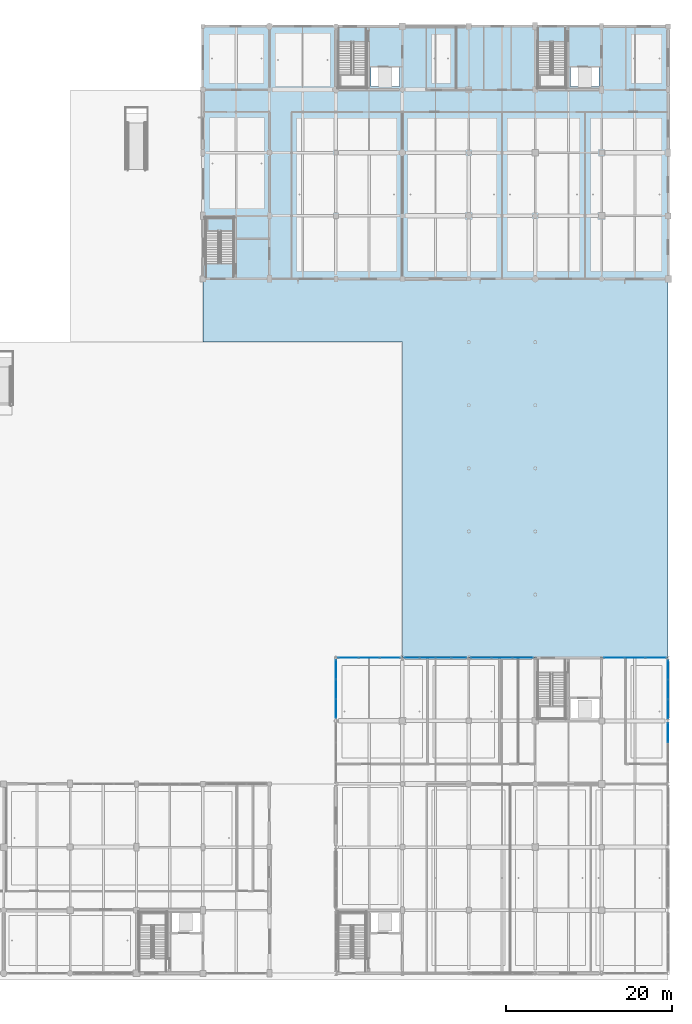
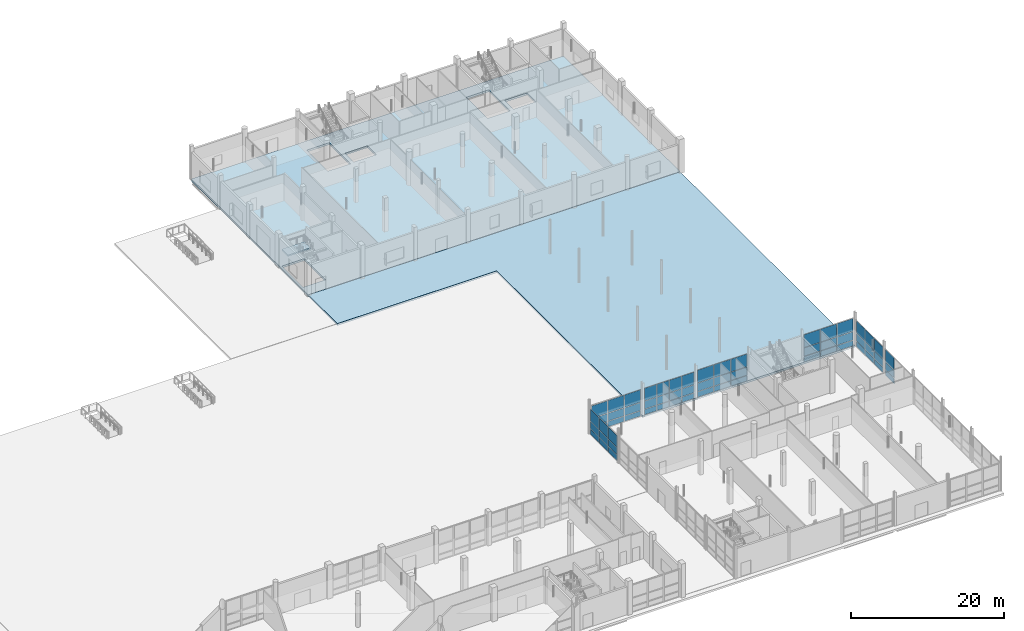
# One storey, part 53 of 126: 60 plates, 3 slabs, 8 elements without a shape of their own.
"""IFC4 building model written with IfcOpenShell, lengths in metres."""

from ifc_helpers import new_model, si_unit, direction, frame, origin, origin_2d, place, context, subcontext, project, spatial, polyline, rectangle, outline, extrude, material, layer, layer_set, type_object, element, aggregate, save


model = new_model("IFC4")

# Units and contexts
model_context = context("Model", 3, precision=1e-05, world=origin(), true_north=direction((0.0, 1.0)))
body_context = subcontext(model_context, "Body", "Model", "MODEL_VIEW")
ifc_project = project(units=[si_unit("LENGTHUNIT", "METRE"), si_unit("AREAUNIT", "SQUARE_METRE"), si_unit("VOLUMEUNIT", "CUBIC_METRE"), si_unit("PLANEANGLEUNIT", "RADIAN"), si_unit("MASSUNIT", "GRAM", prefix="KILO")], contexts=[model_context])

# Site, building, storey
site_placement = place(None, origin())
site = spatial("IfcSite", under=ifc_project, at=site_placement, CompositionType="ELEMENT")
building_placement = place(site_placement, origin())
building = spatial("IfcBuilding", under=site, at=building_placement, Name="Khelvaren Railside Concert Hall", CompositionType="ELEMENT")
storey_placement = place(building_placement, origin())
storey = spatial("IfcBuildingStorey", under=building, at=storey_placement, Name="L00", CompositionType="ELEMENT", Elevation=0.0)

# Curtain wall, plates
ifc_material_1 = material(Name="Double-glazed clear foyer glass", Category="glass")
curtain_wall_type_1 = type_object("IfcCurtainWallType", Name="CW64", PredefinedType="USERDEFINED", material=ifc_material_1)
curtain_wall_1_placement = place(storey_placement, origin())
curtain_wall_1 = element("IfcCurtainWall", 1, at=curtain_wall_1_placement, inside=storey, type_object=curtain_wall_type_1, Name="Unitised Curtain Wall CW-V2-L00-W-30", ObjectType="UNITISED CURTAIN WALL", PredefinedType="USERDEFINED")
ifc_layer_1 = layer(ifc_material_1, 0.0439453125)
ifc_layer_set_1 = layer_set([ifc_layer_1], Name="Double-glazed clear foyer glass")
plate_type_1 = type_object("IfcPlateType", Name="CWP33", PredefinedType="CURTAIN_PANEL", material=ifc_layer_set_1)
plate_1_placement = place(storey_placement, frame((144.0, 31.8759765625, 0.06494140625), z_axis=(0.0, 0.0, 1.0), x_axis=(0.0, 1.0, 0.0)))
plate_1 = element("IfcPlate", 2, at=plate_1_placement, type_object=plate_type_1, Name="CW64 panel 1.1", PredefinedType="CURTAIN_PANEL", context=body_context, shape_type="SweptSolid", body=[
    extrude(rectangle(XDim=2.250732421875, YDim=0.0439453125, at=origin_2d()), origin(), (0.0, 0.0, 1.0), 0.8525390625),
])
plate_2_placement = place(storey_placement, frame((144.0, 31.8759765625, 0.982666015625), z_axis=(0.0, 0.0, 1.0), x_axis=(0.0, 1.0, 0.0)))
plate_2 = element("IfcPlate", 3, at=plate_2_placement, type_object=plate_type_1, Name="CW64 panel 1.2", PredefinedType="CURTAIN_PANEL", context=body_context, shape_type="SweptSolid", body=[
    extrude(rectangle(XDim=2.250732421875, YDim=0.0439453125, at=origin_2d()), origin(), (0.0, 0.0, 1.0), 1.1376953125),
])
plate_3_placement = place(storey_placement, frame((144.0, 31.8759765625, 2.185302734375), z_axis=(0.0, 0.0, 1.0), x_axis=(0.0, 1.0, 0.0)))
plate_3 = element("IfcPlate", 4, at=plate_3_placement, type_object=plate_type_1, Name="CW64 panel 1.3", PredefinedType="CURTAIN_PANEL", context=body_context, shape_type="SweptSolid", body=[
    extrude(rectangle(XDim=2.250732421875, YDim=0.0439453125, at=origin_2d()), origin(), (0.0, 0.0, 1.0), 1.8896484375),
])
plate_4_placement = place(storey_placement, frame((144.0, 34.220703125, 0.06494140625), z_axis=(0.0, 0.0, 1.0), x_axis=(0.0, 1.0, 0.0)))
plate_4 = element("IfcPlate", 5, at=plate_4_placement, type_object=plate_type_1, Name="CW64 panel 2.1", PredefinedType="CURTAIN_PANEL", context=body_context, shape_type="SweptSolid", body=[
    extrude(rectangle(XDim=2.288330078125, YDim=0.0439453125, at=origin_2d()), origin(), (0.0, 0.0, 1.0), 0.8525390625),
])
plate_5_placement = place(storey_placement, frame((144.0, 34.220703125, 0.982666015625), z_axis=(0.0, 0.0, 1.0), x_axis=(0.0, 1.0, 0.0)))
plate_5 = element("IfcPlate", 6, at=plate_5_placement, type_object=plate_type_1, Name="CW64 panel 2.2", PredefinedType="CURTAIN_PANEL", context=body_context, shape_type="SweptSolid", body=[
    extrude(rectangle(XDim=2.288330078125, YDim=0.0439453125, at=origin_2d()), origin(), (0.0, 0.0, 1.0), 1.1376953125),
])
plate_6_placement = place(storey_placement, frame((144.0, 34.220703125, 2.185302734375), z_axis=(0.0, 0.0, 1.0), x_axis=(0.0, 1.0, 0.0)))
plate_6 = element("IfcPlate", 7, at=plate_6_placement, type_object=plate_type_1, Name="CW64 panel 2.3", PredefinedType="CURTAIN_PANEL", context=body_context, shape_type="SweptSolid", body=[
    extrude(rectangle(XDim=2.288330078125, YDim=0.0439453125, at=origin_2d()), origin(), (0.0, 0.0, 1.0), 1.8896484375),
])
plate_7_placement = place(storey_placement, frame((144.0, 36.565185546875, 0.06494140625), z_axis=(0.0, 0.0, 1.0), x_axis=(0.0, 1.0, 0.0)))
plate_7 = element("IfcPlate", 8, at=plate_7_placement, type_object=plate_type_1, Name="CW64 panel 3.1", PredefinedType="CURTAIN_PANEL", context=body_context, shape_type="SweptSolid", body=[
    extrude(rectangle(XDim=2.250732421875, YDim=0.0439453125, at=origin_2d()), origin(), (0.0, 0.0, 1.0), 0.8525390625),
])
plate_8_placement = place(storey_placement, frame((144.0, 36.565185546875, 0.982666015625), z_axis=(0.0, 0.0, 1.0), x_axis=(0.0, 1.0, 0.0)))
plate_8 = element("IfcPlate", 9, at=plate_8_placement, type_object=plate_type_1, Name="CW64 panel 3.2", PredefinedType="CURTAIN_PANEL", context=body_context, shape_type="SweptSolid", body=[
    extrude(rectangle(XDim=2.250732421875, YDim=0.0439453125, at=origin_2d()), origin(), (0.0, 0.0, 1.0), 1.1376953125),
])
plate_9_placement = place(storey_placement, frame((144.0, 36.565185546875, 2.185302734375), z_axis=(0.0, 0.0, 1.0), x_axis=(0.0, 1.0, 0.0)))
plate_9 = element("IfcPlate", 10, at=plate_9_placement, type_object=plate_type_1, Name="CW64 panel 3.3", PredefinedType="CURTAIN_PANEL", context=body_context, shape_type="SweptSolid", body=[
    extrude(rectangle(XDim=2.250732421875, YDim=0.0439453125, at=origin_2d()), origin(), (0.0, 0.0, 1.0), 1.8896484375),
])
aggregate(curtain_wall_1, [plate_1, plate_2, plate_3, plate_4, plate_5, plate_6, plate_7, plate_8, plate_9])

curtain_wall_type_2 = type_object("IfcCurtainWallType", Name="CW68", PredefinedType="USERDEFINED", material=ifc_material_1)
curtain_wall_2_placement = place(storey_placement, origin())
curtain_wall_2 = element("IfcCurtainWall", 11, at=curtain_wall_2_placement, inside=storey, type_object=curtain_wall_type_2, Name="Unitised Curtain Wall CW-V2-L00-E-30", ObjectType="UNITISED CURTAIN WALL", PredefinedType="USERDEFINED")
plate_10_placement = place(storey_placement, frame((184.0, 36.53369140625, 0.06494140625), z_axis=(0.0, 0.0, 1.0), x_axis=(0.0, -1.0, 0.0)))
plate_10 = element("IfcPlate", 12, at=plate_10_placement, type_object=plate_type_1, Name="CW68 panel 1.1", PredefinedType="CURTAIN_PANEL", context=body_context, shape_type="SweptSolid", body=[
    extrude(rectangle(XDim=2.24755859375, YDim=0.0439453125, at=origin_2d()), origin(), (0.0, 0.0, 1.0), 0.8525390625),
])
plate_11_placement = place(storey_placement, frame((184.0, 36.53369140625, 0.982421875), z_axis=(0.0, 0.0, 1.0), x_axis=(0.0, -1.0, 0.0)))
plate_11 = element("IfcPlate", 13, at=plate_11_placement, type_object=plate_type_1, Name="CW68 panel 1.2", PredefinedType="CURTAIN_PANEL", context=body_context, shape_type="SweptSolid", body=[
    extrude(rectangle(XDim=2.24755859375, YDim=0.0439453125, at=origin_2d()), origin(), (0.0, 0.0, 1.0), 1.189697265625),
])
plate_12_placement = place(storey_placement, frame((184.0, 36.53369140625, 2.2373046875), z_axis=(0.0, 0.0, 1.0), x_axis=(0.0, -1.0, 0.0)))
plate_12 = element("IfcPlate", 14, at=plate_12_placement, type_object=plate_type_1, Name="CW68 panel 1.3", PredefinedType="CURTAIN_PANEL", context=body_context, shape_type="SweptSolid", body=[
    extrude(rectangle(XDim=2.24755859375, YDim=0.0439453125, at=origin_2d()), origin(), (0.0, 0.0, 1.0), 1.937744140625),
])
plate_13_placement = place(storey_placement, frame((184.0, 34.1923828125, 0.06494140625), z_axis=(0.0, 0.0, 1.0), x_axis=(0.0, -1.0, 0.0)))
plate_13 = element("IfcPlate", 15, at=plate_13_placement, type_object=plate_type_1, Name="CW68 panel 2.1", PredefinedType="CURTAIN_PANEL", context=body_context, shape_type="SweptSolid", body=[
    extrude(rectangle(XDim=2.284912109375, YDim=0.0439453125, at=origin_2d()), origin(), (0.0, 0.0, 1.0), 0.8525390625),
])
plate_14_placement = place(storey_placement, frame((184.0, 34.1923828125, 0.982421875), z_axis=(0.0, 0.0, 1.0), x_axis=(0.0, -1.0, 0.0)))
plate_14 = element("IfcPlate", 16, at=plate_14_placement, type_object=plate_type_1, Name="CW68 panel 2.2", PredefinedType="CURTAIN_PANEL", context=body_context, shape_type="SweptSolid", body=[
    extrude(rectangle(XDim=2.284912109375, YDim=0.0439453125, at=origin_2d()), origin(), (0.0, 0.0, 1.0), 1.189697265625),
])
plate_15_placement = place(storey_placement, frame((184.0, 34.1923828125, 2.2373046875), z_axis=(0.0, 0.0, 1.0), x_axis=(0.0, -1.0, 0.0)))
plate_15 = element("IfcPlate", 17, at=plate_15_placement, type_object=plate_type_1, Name="CW68 panel 2.3", PredefinedType="CURTAIN_PANEL", context=body_context, shape_type="SweptSolid", body=[
    extrude(rectangle(XDim=2.284912109375, YDim=0.0439453125, at=origin_2d()), origin(), (0.0, 0.0, 1.0), 1.937744140625),
])
plate_16_placement = place(storey_placement, frame((184.0, 31.851318359375, 0.06494140625), z_axis=(0.0, 0.0, 1.0), x_axis=(0.0, -1.0, 0.0)))
plate_16 = element("IfcPlate", 18, at=plate_16_placement, type_object=plate_type_1, Name="CW68 panel 3.1", PredefinedType="CURTAIN_PANEL", context=body_context, shape_type="SweptSolid", body=[
    extrude(rectangle(XDim=2.24755859375, YDim=0.0439453125, at=origin_2d()), origin(), (0.0, 0.0, 1.0), 0.8525390625),
])
plate_17_placement = place(storey_placement, frame((184.0, 31.851318359375, 0.982421875), z_axis=(0.0, 0.0, 1.0), x_axis=(0.0, -1.0, 0.0)))
plate_17 = element("IfcPlate", 19, at=plate_17_placement, type_object=plate_type_1, Name="CW68 panel 3.2", PredefinedType="CURTAIN_PANEL", context=body_context, shape_type="SweptSolid", body=[
    extrude(rectangle(XDim=2.24755859375, YDim=0.0439453125, at=origin_2d()), origin(), (0.0, 0.0, 1.0), 1.189697265625),
])
plate_18_placement = place(storey_placement, frame((184.0, 31.851318359375, 2.2373046875), z_axis=(0.0, 0.0, 1.0), x_axis=(0.0, -1.0, 0.0)))
plate_18 = element("IfcPlate", 20, at=plate_18_placement, type_object=plate_type_1, Name="CW68 panel 3.3", PredefinedType="CURTAIN_PANEL", context=body_context, shape_type="SweptSolid", body=[
    extrude(rectangle(XDim=2.24755859375, YDim=0.0439453125, at=origin_2d()), origin(), (0.0, 0.0, 1.0), 1.937744140625),
])
aggregate(curtain_wall_2, [plate_10, plate_11, plate_12, plate_13, plate_14, plate_15, plate_16, plate_17, plate_18])

ifc_material_2 = material(Name="Triple-glazed solar-control glass", Category="glass")
curtain_wall_type_3 = type_object("IfcCurtainWallType", Name="CW80", PredefinedType="USERDEFINED", material=ifc_material_2)
curtain_wall_3_placement = place(storey_placement, origin())
curtain_wall_3 = element("IfcCurtainWall", 21, at=curtain_wall_3_placement, inside=storey, type_object=curtain_wall_type_3, Name="Unitised Curtain Wall CW-V2-L00-N-144", ObjectType="UNITISED CURTAIN WALL", PredefinedType="USERDEFINED")
ifc_layer_2 = layer(ifc_material_2, 0.035888671875)
ifc_layer_set_2 = layer_set([ifc_layer_2], Name="Triple-glazed solar-control glass")
plate_type_2 = type_object("IfcPlateType", Name="CWP53", PredefinedType="CURTAIN_PANEL", material=ifc_layer_set_2)
plate_19_placement = place(storey_placement, frame((145.510498046875, 38.0, 0.074951171875), z_axis=(0.0, 0.0, 1.0), x_axis=(1.0, 0.0, 0.0)))
plate_19 = element("IfcPlate", 22, at=plate_19_placement, type_object=plate_type_2, Name="CW80 panel 1.1", PredefinedType="CURTAIN_PANEL", context=body_context, shape_type="SweptSolid", body=[
    extrude(rectangle(XDim=2.40185546875, YDim=0.035888671875, at=origin_2d()), origin(), (0.0, 0.0, 1.0), 0.83740234375),
])
plate_20_placement = place(storey_placement, frame((145.510498046875, 38.0, 0.98779296875), z_axis=(0.0, 0.0, 1.0), x_axis=(1.0, 0.0, 0.0)))
plate_20 = element("IfcPlate", 23, at=plate_20_placement, type_object=plate_type_2, Name="CW80 panel 1.2", PredefinedType="CURTAIN_PANEL", context=body_context, shape_type="SweptSolid", body=[
    extrude(rectangle(XDim=2.40185546875, YDim=0.035888671875, at=origin_2d()), origin(), (0.0, 0.0, 1.0), 1.231689453125),
])
plate_21_placement = place(storey_placement, frame((145.510498046875, 38.0, 2.294189453125), z_axis=(0.0, 0.0, 1.0), x_axis=(1.0, 0.0, 0.0)))
plate_21 = element("IfcPlate", 24, at=plate_21_placement, type_object=plate_type_2, Name="CW80 panel 1.3", PredefinedType="CURTAIN_PANEL", context=body_context, shape_type="SweptSolid", body=[
    extrude(rectangle(XDim=2.40185546875, YDim=0.035888671875, at=origin_2d()), origin(), (0.0, 0.0, 1.0), 1.970703125),
])
plate_22_placement = place(storey_placement, frame((148.006103515625, 38.0, 0.074951171875), z_axis=(0.0, 0.0, 1.0), x_axis=(1.0, 0.0, 0.0)))
plate_22 = element("IfcPlate", 25, at=plate_22_placement, type_object=plate_type_2, Name="CW80 panel 2.1", PredefinedType="CURTAIN_PANEL", context=body_context, shape_type="SweptSolid", body=[
    extrude(rectangle(XDim=2.439453125, YDim=0.035888671875, at=origin_2d()), origin(), (0.0, 0.0, 1.0), 0.83740234375),
])
plate_23_placement = place(storey_placement, frame((148.006103515625, 38.0, 0.98779296875), z_axis=(0.0, 0.0, 1.0), x_axis=(1.0, 0.0, 0.0)))
plate_23 = element("IfcPlate", 26, at=plate_23_placement, type_object=plate_type_2, Name="CW80 panel 2.2", PredefinedType="CURTAIN_PANEL", context=body_context, shape_type="SweptSolid", body=[
    extrude(rectangle(XDim=2.439453125, YDim=0.035888671875, at=origin_2d()), origin(), (0.0, 0.0, 1.0), 1.231689453125),
])
plate_24_placement = place(storey_placement, frame((148.006103515625, 38.0, 2.294189453125), z_axis=(0.0, 0.0, 1.0), x_axis=(1.0, 0.0, 0.0)))
plate_24 = element("IfcPlate", 27, at=plate_24_placement, type_object=plate_type_2, Name="CW80 panel 2.3", PredefinedType="CURTAIN_PANEL", context=body_context, shape_type="SweptSolid", body=[
    extrude(rectangle(XDim=2.439453125, YDim=0.035888671875, at=origin_2d()), origin(), (0.0, 0.0, 1.0), 1.970703125),
])
plate_25_placement = place(storey_placement, frame((150.50146484375, 38.0, 0.074951171875), z_axis=(0.0, 0.0, 1.0), x_axis=(1.0, 0.0, 0.0)))
plate_25 = element("IfcPlate", 28, at=plate_25_placement, type_object=plate_type_2, Name="CW80 panel 3.1", PredefinedType="CURTAIN_PANEL", context=body_context, shape_type="SweptSolid", body=[
    extrude(rectangle(XDim=2.40185546875, YDim=0.035888671875, at=origin_2d()), origin(), (0.0, 0.0, 1.0), 0.83740234375),
])
plate_26_placement = place(storey_placement, frame((150.50146484375, 38.0, 0.98779296875), z_axis=(0.0, 0.0, 1.0), x_axis=(1.0, 0.0, 0.0)))
plate_26 = element("IfcPlate", 29, at=plate_26_placement, type_object=plate_type_2, Name="CW80 panel 3.2", PredefinedType="CURTAIN_PANEL", context=body_context, shape_type="SweptSolid", body=[
    extrude(rectangle(XDim=2.40185546875, YDim=0.035888671875, at=origin_2d()), origin(), (0.0, 0.0, 1.0), 1.231689453125),
])
plate_27_placement = place(storey_placement, frame((150.50146484375, 38.0, 2.294189453125), z_axis=(0.0, 0.0, 1.0), x_axis=(1.0, 0.0, 0.0)))
plate_27 = element("IfcPlate", 30, at=plate_27_placement, type_object=plate_type_2, Name="CW80 panel 3.3", PredefinedType="CURTAIN_PANEL", context=body_context, shape_type="SweptSolid", body=[
    extrude(rectangle(XDim=2.40185546875, YDim=0.035888671875, at=origin_2d()), origin(), (0.0, 0.0, 1.0), 1.970703125),
])
aggregate(curtain_wall_3, [plate_19, plate_20, plate_21, plate_22, plate_23, plate_24, plate_25, plate_26, plate_27])

curtain_wall_type_4 = type_object("IfcCurtainWallType", Name="CW41", PredefinedType="USERDEFINED", material=ifc_material_2)
curtain_wall_4_placement = place(storey_placement, origin())
curtain_wall_4 = element("IfcCurtainWall", 31, at=curtain_wall_4_placement, inside=storey, type_object=curtain_wall_type_4, Name="Unitised Curtain Wall CW-V2-L00-N-152", ObjectType="UNITISED CURTAIN WALL", PredefinedType="USERDEFINED")
plate_28_placement = place(storey_placement, frame((153.185546875, 38.0, 0.074951171875), z_axis=(0.0, 0.0, 1.0), x_axis=(1.0, 0.0, 0.0)))
plate_28 = element("IfcPlate", 32, at=plate_28_placement, type_object=plate_type_2, Name="CW41 panel 1.1", PredefinedType="CURTAIN_PANEL", context=body_context, shape_type="SweptSolid", body=[
    extrude(rectangle(XDim=1.7763671875, YDim=0.035888671875, at=origin_2d()), origin(), (0.0, 0.0, 1.0), 0.83740234375),
])
plate_29_placement = place(storey_placement, frame((153.185546875, 38.0, 0.98779296875), z_axis=(0.0, 0.0, 1.0), x_axis=(1.0, 0.0, 0.0)))
plate_29 = element("IfcPlate", 33, at=plate_29_placement, type_object=plate_type_2, Name="CW41 panel 1.2", PredefinedType="CURTAIN_PANEL", context=body_context, shape_type="SweptSolid", body=[
    extrude(rectangle(XDim=1.7763671875, YDim=0.035888671875, at=origin_2d()), origin(), (0.0, 0.0, 1.0), 1.231689453125),
])
plate_30_placement = place(storey_placement, frame((153.185546875, 38.0, 2.294189453125), z_axis=(0.0, 0.0, 1.0), x_axis=(1.0, 0.0, 0.0)))
plate_30 = element("IfcPlate", 34, at=plate_30_placement, type_object=plate_type_2, Name="CW41 panel 1.3", PredefinedType="CURTAIN_PANEL", context=body_context, shape_type="SweptSolid", body=[
    extrude(rectangle(XDim=1.7763671875, YDim=0.035888671875, at=origin_2d()), origin(), (0.0, 0.0, 1.0), 1.970703125),
])
plate_31_placement = place(storey_placement, frame((155.0556640625, 38.0, 0.074951171875), z_axis=(0.0, 0.0, 1.0), x_axis=(1.0, 0.0, 0.0)))
plate_31 = element("IfcPlate", 35, at=plate_31_placement, type_object=plate_type_2, Name="CW41 panel 2.1", PredefinedType="CURTAIN_PANEL", context=body_context, shape_type="SweptSolid", body=[
    extrude(rectangle(XDim=1.813720703125, YDim=0.035888671875, at=origin_2d()), origin(), (0.0, 0.0, 1.0), 0.83740234375),
])
plate_32_placement = place(storey_placement, frame((155.0556640625, 38.0, 0.98779296875), z_axis=(0.0, 0.0, 1.0), x_axis=(1.0, 0.0, 0.0)))
plate_32 = element("IfcPlate", 36, at=plate_32_placement, type_object=plate_type_2, Name="CW41 panel 2.2", PredefinedType="CURTAIN_PANEL", context=body_context, shape_type="SweptSolid", body=[
    extrude(rectangle(XDim=1.813720703125, YDim=0.035888671875, at=origin_2d()), origin(), (0.0, 0.0, 1.0), 1.231689453125),
])
plate_33_placement = place(storey_placement, frame((155.0556640625, 38.0, 2.294189453125), z_axis=(0.0, 0.0, 1.0), x_axis=(1.0, 0.0, 0.0)))
plate_33 = element("IfcPlate", 37, at=plate_33_placement, type_object=plate_type_2, Name="CW41 panel 2.3", PredefinedType="CURTAIN_PANEL", context=body_context, shape_type="SweptSolid", body=[
    extrude(rectangle(XDim=1.813720703125, YDim=0.035888671875, at=origin_2d()), origin(), (0.0, 0.0, 1.0), 1.970703125),
])
plate_34_placement = place(storey_placement, frame((156.9443359375, 38.0, 0.074951171875), z_axis=(0.0, 0.0, 1.0), x_axis=(1.0, 0.0, 0.0)))
plate_34 = element("IfcPlate", 38, at=plate_34_placement, type_object=plate_type_2, Name="CW41 panel 3.1", PredefinedType="CURTAIN_PANEL", context=body_context, shape_type="SweptSolid", body=[
    extrude(rectangle(XDim=1.813720703125, YDim=0.035888671875, at=origin_2d()), origin(), (0.0, 0.0, 1.0), 0.83740234375),
])
plate_35_placement = place(storey_placement, frame((156.9443359375, 38.0, 0.98779296875), z_axis=(0.0, 0.0, 1.0), x_axis=(1.0, 0.0, 0.0)))
plate_35 = element("IfcPlate", 39, at=plate_35_placement, type_object=plate_type_2, Name="CW41 panel 3.2", PredefinedType="CURTAIN_PANEL", context=body_context, shape_type="SweptSolid", body=[
    extrude(rectangle(XDim=1.813720703125, YDim=0.035888671875, at=origin_2d()), origin(), (0.0, 0.0, 1.0), 1.231689453125),
])
plate_36_placement = place(storey_placement, frame((156.9443359375, 38.0, 2.294189453125), z_axis=(0.0, 0.0, 1.0), x_axis=(1.0, 0.0, 0.0)))
plate_36 = element("IfcPlate", 40, at=plate_36_placement, type_object=plate_type_2, Name="CW41 panel 3.3", PredefinedType="CURTAIN_PANEL", context=body_context, shape_type="SweptSolid", body=[
    extrude(rectangle(XDim=1.813720703125, YDim=0.035888671875, at=origin_2d()), origin(), (0.0, 0.0, 1.0), 1.970703125),
])
plate_37_placement = place(storey_placement, frame((158.814453125, 38.0, 0.074951171875), z_axis=(0.0, 0.0, 1.0), x_axis=(1.0, 0.0, 0.0)))
plate_37 = element("IfcPlate", 41, at=plate_37_placement, type_object=plate_type_2, Name="CW41 panel 4.1", PredefinedType="CURTAIN_PANEL", context=body_context, shape_type="SweptSolid", body=[
    extrude(rectangle(XDim=1.7763671875, YDim=0.035888671875, at=origin_2d()), origin(), (0.0, 0.0, 1.0), 0.83740234375),
])
plate_38_placement = place(storey_placement, frame((158.814453125, 38.0, 0.98779296875), z_axis=(0.0, 0.0, 1.0), x_axis=(1.0, 0.0, 0.0)))
plate_38 = element("IfcPlate", 42, at=plate_38_placement, type_object=plate_type_2, Name="CW41 panel 4.2", PredefinedType="CURTAIN_PANEL", context=body_context, shape_type="SweptSolid", body=[
    extrude(rectangle(XDim=1.7763671875, YDim=0.035888671875, at=origin_2d()), origin(), (0.0, 0.0, 1.0), 1.231689453125),
])
plate_39_placement = place(storey_placement, frame((158.814453125, 38.0, 2.294189453125), z_axis=(0.0, 0.0, 1.0), x_axis=(1.0, 0.0, 0.0)))
plate_39 = element("IfcPlate", 43, at=plate_39_placement, type_object=plate_type_2, Name="CW41 panel 4.3", PredefinedType="CURTAIN_PANEL", context=body_context, shape_type="SweptSolid", body=[
    extrude(rectangle(XDim=1.7763671875, YDim=0.035888671875, at=origin_2d()), origin(), (0.0, 0.0, 1.0), 1.970703125),
])
aggregate(curtain_wall_4, [plate_28, plate_29, plate_30, plate_31, plate_32, plate_33, plate_34, plate_35, plate_36, plate_37, plate_38, plate_39])

curtain_wall_type_5 = type_object("IfcCurtainWallType", Name="CW88", PredefinedType="USERDEFINED", material=ifc_material_2)
curtain_wall_5_placement = place(storey_placement, origin())
curtain_wall_5 = element("IfcCurtainWall", 44, at=curtain_wall_5_placement, inside=storey, type_object=curtain_wall_type_5, Name="Unitised Curtain Wall CW-V2-L00-N-160", ObjectType="UNITISED CURTAIN WALL", PredefinedType="USERDEFINED")
plate_40_placement = place(storey_placement, frame((161.50048828125, 38.0, 0.074951171875), z_axis=(0.0, 0.0, 1.0), x_axis=(1.0, 0.0, 0.0)))
plate_40 = element("IfcPlate", 45, at=plate_40_placement, type_object=plate_type_2, Name="CW88 panel 1.1", PredefinedType="CURTAIN_PANEL", context=body_context, shape_type="SweptSolid", body=[
    extrude(rectangle(XDim=2.40576171875, YDim=0.035888671875, at=origin_2d()), origin(), (0.0, 0.0, 1.0), 0.83740234375),
])
plate_41_placement = place(storey_placement, frame((161.50048828125, 38.0, 0.987548828125), z_axis=(0.0, 0.0, 1.0), x_axis=(1.0, 0.0, 0.0)))
plate_41 = element("IfcPlate", 46, at=plate_41_placement, type_object=plate_type_2, Name="CW88 panel 1.2", PredefinedType="CURTAIN_PANEL", context=body_context, shape_type="SweptSolid", body=[
    extrude(rectangle(XDim=2.40576171875, YDim=0.035888671875, at=origin_2d()), origin(), (0.0, 0.0, 1.0), 1.28369140625),
])
plate_42_placement = place(storey_placement, frame((161.50048828125, 38.0, 2.34619140625), z_axis=(0.0, 0.0, 1.0), x_axis=(1.0, 0.0, 0.0)))
plate_42 = element("IfcPlate", 47, at=plate_42_placement, type_object=plate_type_2, Name="CW88 panel 1.3", PredefinedType="CURTAIN_PANEL", context=body_context, shape_type="SweptSolid", body=[
    extrude(rectangle(XDim=2.40576171875, YDim=0.035888671875, at=origin_2d()), origin(), (0.0, 0.0, 1.0), 2.018798828125),
])
plate_43_placement = place(storey_placement, frame((164.0, 38.0, 0.074951171875), z_axis=(0.0, 0.0, 1.0), x_axis=(1.0, 0.0, 0.0)))
plate_43 = element("IfcPlate", 48, at=plate_43_placement, type_object=plate_type_2, Name="CW88 panel 2.1", PredefinedType="CURTAIN_PANEL", context=body_context, shape_type="SweptSolid", body=[
    extrude(rectangle(XDim=2.443359375, YDim=0.035888671875, at=origin_2d()), origin(), (0.0, 0.0, 1.0), 0.83740234375),
])
plate_44_placement = place(storey_placement, frame((164.0, 38.0, 0.987548828125), z_axis=(0.0, 0.0, 1.0), x_axis=(1.0, 0.0, 0.0)))
plate_44 = element("IfcPlate", 49, at=plate_44_placement, type_object=plate_type_2, Name="CW88 panel 2.2", PredefinedType="CURTAIN_PANEL", context=body_context, shape_type="SweptSolid", body=[
    extrude(rectangle(XDim=2.443359375, YDim=0.035888671875, at=origin_2d()), origin(), (0.0, 0.0, 1.0), 1.28369140625),
])
plate_45_placement = place(storey_placement, frame((164.0, 38.0, 2.34619140625), z_axis=(0.0, 0.0, 1.0), x_axis=(1.0, 0.0, 0.0)))
plate_45 = element("IfcPlate", 50, at=plate_45_placement, type_object=plate_type_2, Name="CW88 panel 2.3", PredefinedType="CURTAIN_PANEL", context=body_context, shape_type="SweptSolid", body=[
    extrude(rectangle(XDim=2.443359375, YDim=0.035888671875, at=origin_2d()), origin(), (0.0, 0.0, 1.0), 2.018798828125),
])
plate_46_placement = place(storey_placement, frame((166.49951171875, 38.0, 0.074951171875), z_axis=(0.0, 0.0, 1.0), x_axis=(1.0, 0.0, 0.0)))
plate_46 = element("IfcPlate", 51, at=plate_46_placement, type_object=plate_type_2, Name="CW88 panel 3.1", PredefinedType="CURTAIN_PANEL", context=body_context, shape_type="SweptSolid", body=[
    extrude(rectangle(XDim=2.40576171875, YDim=0.035888671875, at=origin_2d()), origin(), (0.0, 0.0, 1.0), 0.83740234375),
])
plate_47_placement = place(storey_placement, frame((166.49951171875, 38.0, 0.987548828125), z_axis=(0.0, 0.0, 1.0), x_axis=(1.0, 0.0, 0.0)))
plate_47 = element("IfcPlate", 52, at=plate_47_placement, type_object=plate_type_2, Name="CW88 panel 3.2", PredefinedType="CURTAIN_PANEL", context=body_context, shape_type="SweptSolid", body=[
    extrude(rectangle(XDim=2.40576171875, YDim=0.035888671875, at=origin_2d()), origin(), (0.0, 0.0, 1.0), 1.28369140625),
])
plate_48_placement = place(storey_placement, frame((166.49951171875, 38.0, 2.34619140625), z_axis=(0.0, 0.0, 1.0), x_axis=(1.0, 0.0, 0.0)))
plate_48 = element("IfcPlate", 53, at=plate_48_placement, type_object=plate_type_2, Name="CW88 panel 3.3", PredefinedType="CURTAIN_PANEL", context=body_context, shape_type="SweptSolid", body=[
    extrude(rectangle(XDim=2.40576171875, YDim=0.035888671875, at=origin_2d()), origin(), (0.0, 0.0, 1.0), 2.018798828125),
])
aggregate(curtain_wall_5, [plate_40, plate_41, plate_42, plate_43, plate_44, plate_45, plate_46, plate_47, plate_48])

curtain_wall_type_6 = type_object("IfcCurtainWallType", Name="CW14", PredefinedType="USERDEFINED", material=ifc_material_2)
curtain_wall_6_placement = place(storey_placement, origin())
curtain_wall_6 = element("IfcCurtainWall", 54, at=curtain_wall_6_placement, inside=storey, type_object=curtain_wall_type_6, Name="Unitised Curtain Wall CW-V2-L00-N-176", ObjectType="UNITISED CURTAIN WALL", PredefinedType="USERDEFINED")
plate_49_placement = place(storey_placement, frame((177.50048828125, 38.0, 0.074951171875), z_axis=(0.0, 0.0, 1.0), x_axis=(1.0, 0.0, 0.0)))
plate_49 = element("IfcPlate", 55, at=plate_49_placement, type_object=plate_type_2, Name="CW14 panel 1.1", PredefinedType="CURTAIN_PANEL", context=body_context, shape_type="SweptSolid", body=[
    extrude(rectangle(XDim=2.40576171875, YDim=0.035888671875, at=origin_2d()), origin(), (0.0, 0.0, 1.0), 0.83740234375),
])
plate_50_placement = place(storey_placement, frame((177.50048828125, 38.0, 0.9873046875), z_axis=(0.0, 0.0, 1.0), x_axis=(1.0, 0.0, 0.0)))
plate_50 = element("IfcPlate", 56, at=plate_50_placement, type_object=plate_type_2, Name="CW14 panel 1.2", PredefinedType="CURTAIN_PANEL", context=body_context, shape_type="SweptSolid", body=[
    extrude(rectangle(XDim=2.40576171875, YDim=0.035888671875, at=origin_2d()), origin(), (0.0, 0.0, 1.0), 1.309814453125),
])
plate_51_placement = place(storey_placement, frame((177.50048828125, 38.0, 2.3720703125), z_axis=(0.0, 0.0, 1.0), x_axis=(1.0, 0.0, 0.0)))
plate_51 = element("IfcPlate", 57, at=plate_51_placement, type_object=plate_type_2, Name="CW14 panel 1.3", PredefinedType="CURTAIN_PANEL", context=body_context, shape_type="SweptSolid", body=[
    extrude(rectangle(XDim=2.40576171875, YDim=0.035888671875, at=origin_2d()), origin(), (0.0, 0.0, 1.0), 2.042724609375),
])
plate_52_placement = place(storey_placement, frame((180.0, 38.0, 0.074951171875), z_axis=(0.0, 0.0, 1.0), x_axis=(1.0, 0.0, 0.0)))
plate_52 = element("IfcPlate", 58, at=plate_52_placement, type_object=plate_type_2, Name="CW14 panel 2.1", PredefinedType="CURTAIN_PANEL", context=body_context, shape_type="SweptSolid", body=[
    extrude(rectangle(XDim=2.443359375, YDim=0.035888671875, at=origin_2d()), origin(), (0.0, 0.0, 1.0), 0.83740234375),
])
plate_53_placement = place(storey_placement, frame((180.0, 38.0, 0.9873046875), z_axis=(0.0, 0.0, 1.0), x_axis=(1.0, 0.0, 0.0)))
plate_53 = element("IfcPlate", 59, at=plate_53_placement, type_object=plate_type_2, Name="CW14 panel 2.2", PredefinedType="CURTAIN_PANEL", context=body_context, shape_type="SweptSolid", body=[
    extrude(rectangle(XDim=2.443359375, YDim=0.035888671875, at=origin_2d()), origin(), (0.0, 0.0, 1.0), 1.309814453125),
])
plate_54_placement = place(storey_placement, frame((180.0, 38.0, 2.3720703125), z_axis=(0.0, 0.0, 1.0), x_axis=(1.0, 0.0, 0.0)))
plate_54 = element("IfcPlate", 60, at=plate_54_placement, type_object=plate_type_2, Name="CW14 panel 2.3", PredefinedType="CURTAIN_PANEL", context=body_context, shape_type="SweptSolid", body=[
    extrude(rectangle(XDim=2.443359375, YDim=0.035888671875, at=origin_2d()), origin(), (0.0, 0.0, 1.0), 2.042724609375),
])
plate_55_placement = place(storey_placement, frame((182.49951171875, 38.0, 0.074951171875), z_axis=(0.0, 0.0, 1.0), x_axis=(1.0, 0.0, 0.0)))
plate_55 = element("IfcPlate", 61, at=plate_55_placement, type_object=plate_type_2, Name="CW14 panel 3.1", PredefinedType="CURTAIN_PANEL", context=body_context, shape_type="SweptSolid", body=[
    extrude(rectangle(XDim=2.40576171875, YDim=0.035888671875, at=origin_2d()), origin(), (0.0, 0.0, 1.0), 0.83740234375),
])
plate_56_placement = place(storey_placement, frame((182.49951171875, 38.0, 0.9873046875), z_axis=(0.0, 0.0, 1.0), x_axis=(1.0, 0.0, 0.0)))
plate_56 = element("IfcPlate", 62, at=plate_56_placement, type_object=plate_type_2, Name="CW14 panel 3.2", PredefinedType="CURTAIN_PANEL", context=body_context, shape_type="SweptSolid", body=[
    extrude(rectangle(XDim=2.40576171875, YDim=0.035888671875, at=origin_2d()), origin(), (0.0, 0.0, 1.0), 1.309814453125),
])
plate_57_placement = place(storey_placement, frame((182.49951171875, 38.0, 2.3720703125), z_axis=(0.0, 0.0, 1.0), x_axis=(1.0, 0.0, 0.0)))
plate_57 = element("IfcPlate", 63, at=plate_57_placement, type_object=plate_type_2, Name="CW14 panel 3.3", PredefinedType="CURTAIN_PANEL", context=body_context, shape_type="SweptSolid", body=[
    extrude(rectangle(XDim=2.40576171875, YDim=0.035888671875, at=origin_2d()), origin(), (0.0, 0.0, 1.0), 2.042724609375),
])
aggregate(curtain_wall_6, [plate_49, plate_50, plate_51, plate_52, plate_53, plate_54, plate_55, plate_56, plate_57])

ifc_material_3 = material(Name="Double-glazed low-E dark acoustic glass", Category="glass")
curtain_wall_type_7 = type_object("IfcCurtainWallType", Name="CW65", PredefinedType="USERDEFINED", material=ifc_material_3)
curtain_wall_7_placement = place(storey_placement, origin())
curtain_wall_7 = element("IfcCurtainWall", 64, at=curtain_wall_7_placement, inside=storey, type_object=curtain_wall_type_7, Name="Unitised Curtain Wall CW-V2-L00-E-23", ObjectType="UNITISED CURTAIN WALL", PredefinedType="USERDEFINED")
ifc_layer_3 = layer(ifc_material_3, 0.031982421875)
ifc_layer_set_3 = layer_set([ifc_layer_3], Name="Double-glazed low-E dark acoustic glass")
plate_type_3 = type_object("IfcPlateType", Name="CWP84", PredefinedType="CURTAIN_PANEL", material=ifc_layer_set_3)
plate_58_placement = place(storey_placement, frame((184.0, 28.955322265625, 0.06494140625), z_axis=(0.0, 0.0, 1.0), x_axis=(0.0, -1.0, 0.0)))
plate_58 = element("IfcPlate", 65, at=plate_58_placement, type_object=plate_type_3, Name="CW65 panel 1.1", PredefinedType="CURTAIN_PANEL", context=body_context, shape_type="SweptSolid", body=[
    extrude(rectangle(XDim=2.26416015625, YDim=0.031982421875, at=origin_2d()), origin(), (0.0, 0.0, 1.0), 0.8525390625),
])
plate_59_placement = place(storey_placement, frame((184.0, 28.955322265625, 0.982421875), z_axis=(0.0, 0.0, 1.0), x_axis=(0.0, -1.0, 0.0)))
plate_59 = element("IfcPlate", 66, at=plate_59_placement, type_object=plate_type_3, Name="CW65 panel 1.2", PredefinedType="CURTAIN_PANEL", context=body_context, shape_type="SweptSolid", body=[
    extrude(rectangle(XDim=2.26416015625, YDim=0.031982421875, at=origin_2d()), origin(), (0.0, 0.0, 1.0), 1.189697265625),
])
plate_60_placement = place(storey_placement, frame((184.0, 28.955322265625, 2.2373046875), z_axis=(0.0, 0.0, 1.0), x_axis=(0.0, -1.0, 0.0)))
plate_60 = element("IfcPlate", 67, at=plate_60_placement, type_object=plate_type_3, Name="CW65 panel 1.3", PredefinedType="CURTAIN_PANEL", context=body_context, shape_type="SweptSolid", body=[
    extrude(rectangle(XDim=2.26416015625, YDim=0.031982421875, at=origin_2d()), origin(), (0.0, 0.0, 1.0), 1.937744140625),
])
aggregate(curtain_wall_7, [plate_58, plate_59, plate_60])

# Slabs
ifc_material_4 = material(Name="Concrete C40/50", Category="concrete")
ifc_layer_4 = layer(ifc_material_4, 0.320068359375)
ifc_layer_set_4 = layer_set([ifc_layer_4], Name="Concrete C40/50")
slab_type_1 = type_object("IfcSlabType", Name="FS29", PredefinedType="FLOOR", material=ifc_layer_set_4)
slab_1_placement = place(storey_placement, frame((0.0, 0.0, -0.320068359375)))
element("IfcSlab", 68, at=slab_1_placement, inside=storey, type_object=slab_type_1, Name="V5 L00 Structural Floor Slab", PredefinedType="FLOOR", context=body_context, shape_type="SweptSolid", body=[
    extrude(outline(polyline([(128.0, 83.60009765625), (184.0, 83.60009765625), (184.0, 114.0), (128.0, 114.0), (128.0, 83.60009765625)]), holes=[polyline([(144.300048828125, 112.159912109375), (144.300048828125, 106.639892578125), (147.699951171875, 106.639892578125), (147.699951171875, 112.159912109375), (144.300048828125, 112.159912109375)]), polyline([(148.25, 106.75), (151.64990234375, 106.75), (151.64990234375, 109.050048828125), (148.25, 109.050048828125), (148.25, 106.75)]), polyline([(168.300048828125, 112.159912109375), (168.300048828125, 106.639892578125), (171.699951171875, 106.639892578125), (171.699951171875, 112.159912109375), (168.300048828125, 112.159912109375)]), polyline([(172.25, 106.75), (175.64990234375, 106.75), (175.64990234375, 109.050048828125), (172.25, 109.050048828125), (172.25, 106.75)]), polyline([(131.699951171875, 85.43994140625), (131.699951171875, 90.9599609375), (128.300048828125, 90.9599609375), (128.300048828125, 85.43994140625), (131.699951171875, 85.43994140625)])]), origin(), (0.0, 0.0, 1.0), 0.320068359375),
])
ifc_material_5 = material(Name="Concrete C35/45", Category="concrete")
ifc_layer_5 = layer(ifc_material_5, 0.300048828125)
ifc_layer_set_5 = layer_set([ifc_layer_5], Name="Concrete C35/45")
slab_type_2 = type_object("IfcSlabType", Name="FS48", PredefinedType="FLOOR", material=ifc_layer_set_5)
slab_2_placement = place(storey_placement, frame((0.0, 0.0, -0.300048828125)))
element("IfcSlab", 69, at=slab_2_placement, inside=storey, type_object=slab_type_2, Name="Exterior Court and Service Loop Apron APRON-COURT-NE", PredefinedType="FLOOR", context=body_context, shape_type="SweptSolid", body=[
    extrude(outline(polyline([(152.02001953125, 38.02001953125), (183.97998046875, 38.02001953125), (183.97998046875, 83.580078125), (128.02001953125, 83.580078125), (128.02001953125, 76.02001953125), (152.02001953125, 76.02001953125), (152.02001953125, 38.02001953125)])), origin(), (0.0, 0.0, 1.0), 0.300048828125),
])

# Stair, slab
stair_type = type_object("IfcStairType", Name="ST31", PredefinedType="HALF_TURN_STAIR", material=ifc_material_4)
stair_placement = place(storey_placement, origin())
stair = element("IfcStair", 70, at=stair_placement, inside=storey, type_object=stair_type, Name="L00 Core Exit Stair ST-12", PredefinedType="HALF_TURN_STAIR")
ifc_layer_6 = layer(ifc_material_4, 0.199951171875)
ifc_layer_set_6 = layer_set([ifc_layer_6], Name="Concrete C40/50")
slab_type_3 = type_object("IfcSlabType", Name="LND67", PredefinedType="LANDING", material=ifc_layer_set_6)
slab_3_placement = place(storey_placement, frame((0.0, 0.0, 2.5)))
slab_3 = element("IfcSlab", 71, at=slab_3_placement, type_object=slab_type_3, Name="ST-12 landing 1", PredefinedType="LANDING", context=body_context, shape_type="SweptSolid", body=[
    extrude(outline(polyline([(131.699951171875, 89.360107421875), (131.699951171875, 90.9599609375), (128.300048828125, 90.9599609375), (128.300048828125, 89.360107421875), (131.699951171875, 89.360107421875)])), origin(), (0.0, 0.0, 1.0), 0.199951171875),
])
aggregate(stair, [slab_3])

save(model, "model.ifc")
